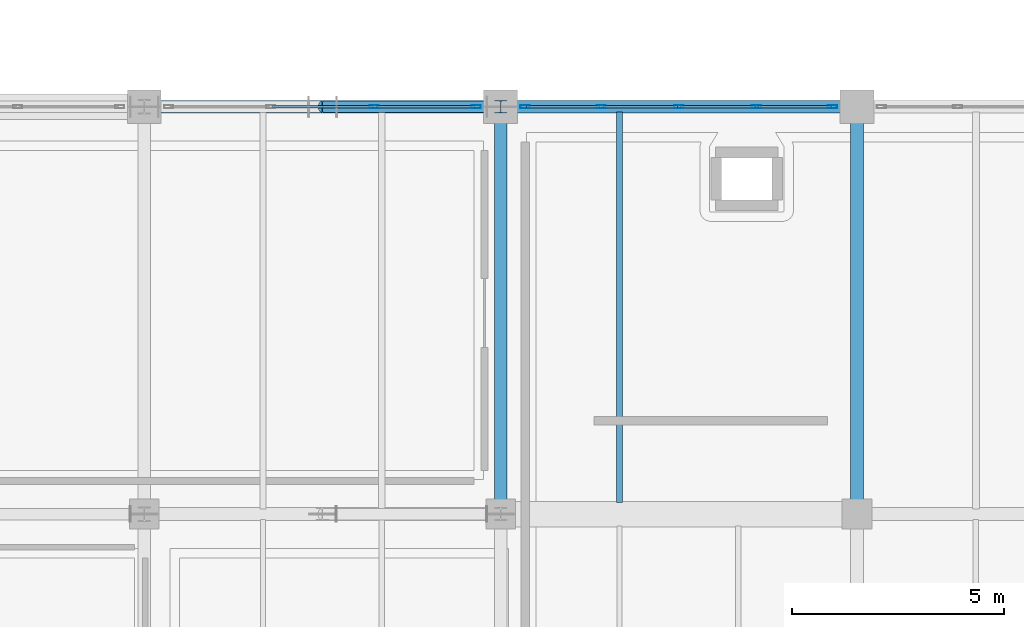
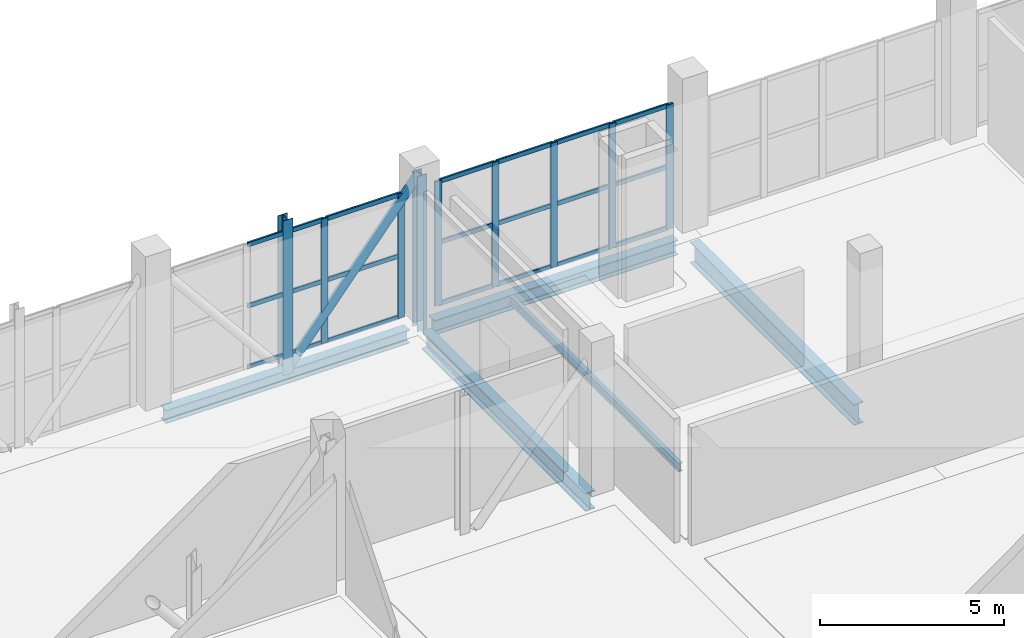
# One storey, part 17 of 77: 28 members, 5 beams, 2 elements without a shape of their own.
"""IFC4 building model written with IfcOpenShell, lengths in metres."""

from ifc_helpers import new_model, si_unit, direction, frame, origin, origin_2d, place, context, subcontext, project, spatial, hollow_rectangle, hollow_circle, i_section, extrude, material, layer, layer_set, material_profile, profile_set, type_object, element, aggregate, save


model = new_model("IFC4")

# Units and contexts
model_context = context("Model", 3, precision=1e-05, world=origin(), true_north=direction((0.0, 1.0)))
body_context = subcontext(model_context, "Body", "Model", "MODEL_VIEW")
ifc_project = project(units=[si_unit("LENGTHUNIT", "METRE"), si_unit("AREAUNIT", "SQUARE_METRE"), si_unit("VOLUMEUNIT", "CUBIC_METRE"), si_unit("PLANEANGLEUNIT", "RADIAN"), si_unit("MASSUNIT", "GRAM", prefix="KILO")], contexts=[model_context])

# Site, building, storey
site_placement = place(None, origin())
site = spatial("IfcSite", under=ifc_project, at=site_placement, CompositionType="ELEMENT")
building_placement = place(site_placement, origin())
building = spatial("IfcBuilding", under=site, at=building_placement, Name="Zulmaris Art Gallery", CompositionType="ELEMENT")
storey_placement = place(building_placement, frame((0.0, 0.0, 15.60009765625)))
storey = spatial("IfcBuildingStorey", under=building, at=storey_placement, Name="L03", CompositionType="ELEMENT", Elevation=15.60009765625)

# Beams
ifc_material_1 = material(Name="Steel S355J2", Category="steel")
ifc_material_profile_1 = material_profile(ifc_material_1, i_section(OverallWidth=0.300048828125, OverallDepth=0.43994140625, WebThickness=0.011474609375, FlangeThickness=0.02099609375, FilletRadius=0.027099609375, at=origin_2d()), Name="HEA 450")
ifc_profile_set_1 = profile_set([ifc_material_profile_1], Name="Steel S355J2")
beam_type_1 = type_object("IfcBeamType", Name="BEAM-BM10", PredefinedType="BEAM", material=ifc_profile_set_1)
beam_1_placement = place(storey_placement, frame((32.784912109375, 50.39990234375, -0.6201171875), z_axis=(1.0, 0.0, 0.0), x_axis=(0.0, 1.0, 0.0)))
element("IfcBeam", 1, at=beam_1_placement, inside=storey, type_object=beam_type_1, Name="L03 X-girder (32.4..40.8, y=50.4)", PredefinedType="BEAM", context=body_context, shape_type="SweptSolid", body=[
    extrude(i_section(OverallWidth=0.300048828125, OverallDepth=0.43994140625, WebThickness=0.011474609375, FlangeThickness=0.02099609375, FilletRadius=0.027099609375, at=origin_2d()), origin(), (0.0, 0.0, 1.0), 7.630126953125),
])
ifc_material_profile_2 = material_profile(ifc_material_1, i_section(OverallWidth=0.300048828125, OverallDepth=0.489990234375, WebThickness=0.011962890625, FlangeThickness=0.02294921875, FilletRadius=0.027099609375, at=origin_2d()), Name="HEA 500")
ifc_profile_set_2 = profile_set([ifc_material_profile_2], Name="Steel S355J2")
beam_type_2 = type_object("IfcBeamType", Name="BEAM-BM11", PredefinedType="BEAM", material=ifc_profile_set_2)
beam_2_placement = place(storey_placement, frame((41.18505859375, 50.39990234375, -0.614990234375), z_axis=(1.0, 0.0, 0.0), x_axis=(0.0, 1.0, 0.0)))
element("IfcBeam", 2, at=beam_2_placement, inside=storey, type_object=beam_type_2, Name="L03 X-girder (40.8..49.2, y=50.4)", PredefinedType="BEAM", context=body_context, shape_type="SweptSolid", body=[
    extrude(i_section(OverallWidth=0.300048828125, OverallDepth=0.489990234375, WebThickness=0.011962890625, FlangeThickness=0.02294921875, FilletRadius=0.027099609375, at=origin_2d()), origin(), (0.0, 0.0, 1.0), 7.6298828125),
])
ifc_material_profile_3 = material_profile(ifc_material_1, i_section(OverallWidth=0.300048828125, OverallDepth=0.60009765625, WebThickness=0.015380859375, FlangeThickness=0.030029296875, FilletRadius=0.027099609375, at=origin_2d()), Name="HEB 600")
ifc_profile_set_3 = profile_set([ifc_material_profile_3], Name="Steel S355J2")
beam_type_3 = type_object("IfcBeamType", Name="BEAM-BM15", PredefinedType="BEAM", material=ifc_profile_set_3)
beam_3_placement = place(storey_placement, frame((40.800048828125, 41.135009765625, -0.670166015625), z_axis=(0.0, 1.0, 0.0), x_axis=(-1.0, 0.0, 0.0)))
element("IfcBeam", 3, at=beam_3_placement, inside=storey, type_object=beam_type_3, Name="L03 Y-girder (x=40.8, 40.8..50.4)", PredefinedType="BEAM", context=body_context, shape_type="SweptSolid", body=[
    extrude(i_section(OverallWidth=0.300048828125, OverallDepth=0.60009765625, WebThickness=0.015380859375, FlangeThickness=0.030029296875, FilletRadius=0.027099609375, at=origin_2d()), origin(), (0.0, 0.0, 1.0), 8.8798828125),
])
ifc_material_profile_4 = material_profile(ifc_material_1, i_section(OverallWidth=0.300048828125, OverallDepth=0.699951171875, WebThickness=0.01708984375, FlangeThickness=0.031982421875, FilletRadius=0.027099609375, at=origin_2d()), Name="HEB 700")
ifc_profile_set_4 = profile_set([ifc_material_profile_4], Name="Steel S355J2")
beam_type_4 = type_object("IfcBeamType", Name="BEAM-BM16", PredefinedType="BEAM", material=ifc_profile_set_4)
beam_4_placement = place(storey_placement, frame((49.199951171875, 41.135009765625, -0.72021484375), z_axis=(0.0, 1.0, 0.0), x_axis=(-1.0, 0.0, 0.0)))
element("IfcBeam", 4, at=beam_4_placement, inside=storey, type_object=beam_type_4, Name="L03 Y-girder (x=49.2, 40.8..50.4)", PredefinedType="BEAM", context=body_context, shape_type="SweptSolid", body=[
    extrude(i_section(OverallWidth=0.300048828125, OverallDepth=0.699951171875, WebThickness=0.01708984375, FlangeThickness=0.031982421875, FilletRadius=0.027099609375, at=origin_2d()), origin(), (0.0, 0.0, 1.0), 8.8798828125),
])
ifc_material_profile_5 = material_profile(ifc_material_1, i_section(OverallWidth=0.135009765625, OverallDepth=0.27001953125, WebThickness=0.006591796875, FlangeThickness=0.01025390625, FilletRadius=0.014892578125, at=origin_2d()), Name="IPE 270")
ifc_profile_set_5 = profile_set([ifc_material_profile_5], Name="Steel S355J2")
beam_type_5 = type_object("IfcBeamType", Name="BEAM-JS02", PredefinedType="JOIST", material=ifc_profile_set_5)
beam_5_placement = place(storey_placement, frame((43.60009765625, 41.074951171875, -0.505126953125), z_axis=(0.0, 1.0, 0.0), x_axis=(-1.0, 0.0, 0.0)))
element("IfcBeam", 5, at=beam_5_placement, inside=storey, type_object=beam_type_5, Name="L03 secondary joist at x=43.6", PredefinedType="JOIST", context=body_context, shape_type="SweptSolid", body=[
    extrude(i_section(OverallWidth=0.135009765625, OverallDepth=0.27001953125, WebThickness=0.006591796875, FlangeThickness=0.01025390625, FilletRadius=0.014892578125, at=origin_2d()), origin(), (0.0, 0.0, 1.0), 9.199951171875),
])

# Curtain wall, members
ifc_material_2 = material(Name="Unitised Low-E Gallery Curtain Wall", Category="aluminium")
ifc_layer = layer(ifc_material_2, 0.179931640625)
ifc_layer_set = layer_set([ifc_layer], Name="Unitised Low-E Gallery Curtain Wall")
curtain_wall_type = type_object("IfcCurtainWallType", Name="CW-CW01", PredefinedType="NOTDEFINED", material=ifc_layer_set)
curtain_wall_1_placement = place(storey_placement, origin())
curtain_wall_1 = element("IfcCurtainWall", 6, at=curtain_wall_1_placement, inside=storey, type_object=curtain_wall_type, Name="L03 curtain wall 7", PredefinedType="NOTDEFINED")
ifc_material_3 = material(Name="Anodised Bronze Aluminium", Category="aluminium")
ifc_material_profile_6 = material_profile(ifc_material_3, hollow_rectangle(XDim=0.074951171875, YDim=0.219970703125, WallThickness=0.0048828125, InnerFilletRadius=0.007568359375, OuterFilletRadius=0.012451171875, at=origin_2d()), Name="ALU 75x220x5")
ifc_profile_set_6 = profile_set([ifc_material_profile_6], Name="Anodised Bronze Aluminium")
member_type_1 = type_object("IfcMemberType", Name="CWMUL-02", PredefinedType="MULLION", material=ifc_profile_set_6)
member_1_placement = place(storey_placement, frame((40.222412109375, 50.39990234375, 0.0), z_axis=(0.0, 0.0, 1.0), x_axis=(0.0, -1.0, 0.0)))
member_1 = element("IfcMember", 7, at=member_1_placement, type_object=member_type_1, Name="CW01 mullion 1", PredefinedType="MULLION", context=body_context, shape_type="SweptSolid", body=[
    extrude(hollow_rectangle(XDim=0.074951171875, YDim=0.219970703125, WallThickness=0.0048828125, InnerFilletRadius=0.007568359375, OuterFilletRadius=0.012451171875, at=origin_2d()), origin(), (0.0, 0.0, 1.0), 4.119873046875),
])
member_2_placement = place(storey_placement, frame((37.820068359375, 50.39990234375, 0.0), z_axis=(0.0, 0.0, 1.0), x_axis=(0.0, -1.0, 0.0)))
member_2 = element("IfcMember", 8, at=member_2_placement, type_object=member_type_1, Name="CW01 mullion 2", PredefinedType="MULLION", context=body_context, shape_type="SweptSolid", body=[
    extrude(hollow_rectangle(XDim=0.074951171875, YDim=0.219970703125, WallThickness=0.0048828125, InnerFilletRadius=0.007568359375, OuterFilletRadius=0.012451171875, at=origin_2d()), origin(), (0.0, 0.0, 1.0), 4.119873046875),
])

curtain_wall_2_placement = place(storey_placement, origin())
curtain_wall_2 = element("IfcCurtainWall", 9, at=curtain_wall_2_placement, inside=storey, type_object=curtain_wall_type, Name="L03 curtain wall 9", PredefinedType="NOTDEFINED")
member_3_placement = place(storey_placement, frame((48.62255859375, 50.39990234375, 0.0), z_axis=(0.0, 0.0, 1.0), x_axis=(0.0, -1.0, 0.0)))
member_3 = element("IfcMember", 10, at=member_3_placement, type_object=member_type_1, Name="CW01 mullion 1", PredefinedType="MULLION", context=body_context, shape_type="SweptSolid", body=[
    extrude(hollow_rectangle(XDim=0.074951171875, YDim=0.219970703125, WallThickness=0.0048828125, InnerFilletRadius=0.007568359375, OuterFilletRadius=0.012451171875, at=origin_2d()), origin(), (0.0, 0.0, 1.0), 4.119873046875),
])
member_4_placement = place(storey_placement, frame((46.830078125, 50.39990234375, 0.0), z_axis=(0.0, 0.0, 1.0), x_axis=(0.0, -1.0, 0.0)))
member_4 = element("IfcMember", 11, at=member_4_placement, type_object=member_type_1, Name="CW01 mullion 2", PredefinedType="MULLION", context=body_context, shape_type="SweptSolid", body=[
    extrude(hollow_rectangle(XDim=0.074951171875, YDim=0.219970703125, WallThickness=0.0048828125, InnerFilletRadius=0.007568359375, OuterFilletRadius=0.012451171875, at=origin_2d()), origin(), (0.0, 0.0, 1.0), 4.119873046875),
])
member_5_placement = place(storey_placement, frame((45.0, 50.39990234375, 0.0), z_axis=(0.0, 0.0, 1.0), x_axis=(0.0, -1.0, 0.0)))
member_5 = element("IfcMember", 12, at=member_5_placement, type_object=member_type_1, Name="CW01 mullion 3", PredefinedType="MULLION", context=body_context, shape_type="SweptSolid", body=[
    extrude(hollow_rectangle(XDim=0.074951171875, YDim=0.219970703125, WallThickness=0.0048828125, InnerFilletRadius=0.007568359375, OuterFilletRadius=0.012451171875, at=origin_2d()), origin(), (0.0, 0.0, 1.0), 4.119873046875),
])
member_6_placement = place(storey_placement, frame((43.169921875, 50.39990234375, 0.0), z_axis=(0.0, 0.0, 1.0), x_axis=(0.0, -1.0, 0.0)))
member_6 = element("IfcMember", 13, at=member_6_placement, type_object=member_type_1, Name="CW01 mullion 4", PredefinedType="MULLION", context=body_context, shape_type="SweptSolid", body=[
    extrude(hollow_rectangle(XDim=0.074951171875, YDim=0.219970703125, WallThickness=0.0048828125, InnerFilletRadius=0.007568359375, OuterFilletRadius=0.012451171875, at=origin_2d()), origin(), (0.0, 0.0, 1.0), 4.119873046875),
])
member_7_placement = place(storey_placement, frame((41.37744140625, 50.39990234375, 0.0), z_axis=(0.0, 0.0, 1.0), x_axis=(0.0, -1.0, 0.0)))
member_7 = element("IfcMember", 14, at=member_7_placement, type_object=member_type_1, Name="CW01 mullion 5", PredefinedType="MULLION", context=body_context, shape_type="SweptSolid", body=[
    extrude(hollow_rectangle(XDim=0.074951171875, YDim=0.219970703125, WallThickness=0.0048828125, InnerFilletRadius=0.007568359375, OuterFilletRadius=0.012451171875, at=origin_2d()), origin(), (0.0, 0.0, 1.0), 4.119873046875),
])

# Member
ifc_material_profile_7 = material_profile(ifc_material_3, hollow_rectangle(XDim=0.06494140625, YDim=0.14990234375, WallThickness=0.00390625, InnerFilletRadius=0.006103515625, OuterFilletRadius=0.010009765625, at=origin_2d()), Name="ALU 65x150x4")
ifc_profile_set_7 = profile_set([ifc_material_profile_7], Name="Anodised Bronze Aluminium")
member_type_2 = type_object("IfcMemberType", Name="CWTRN-01", PredefinedType="USERDEFINED", material=ifc_profile_set_7)
member_8_placement = place(storey_placement, frame((40.18505859375, 50.39990234375, 0.037353515625), z_axis=(-1.0, 0.0, 0.0), x_axis=(0.0, -1.0, 0.0)))
member_8 = element("IfcMember", 15, at=member_8_placement, type_object=member_type_2, Name="CW01 transom 1.1", ObjectType="TRANSOM", PredefinedType="USERDEFINED", context=body_context, shape_type="SweptSolid", body=[
    extrude(hollow_rectangle(XDim=0.06494140625, YDim=0.14990234375, WallThickness=0.00390625, InnerFilletRadius=0.006103515625, OuterFilletRadius=0.010009765625, at=origin_2d()), origin(), (0.0, 0.0, 1.0), 2.32763671875),
])

member_9_placement = place(storey_placement, frame((40.18505859375, 50.39990234375, 2.059814453125), z_axis=(-1.0, 0.0, 0.0), x_axis=(0.0, -1.0, 0.0)))
member_9 = element("IfcMember", 16, at=member_9_placement, type_object=member_type_2, Name="CW01 transom 1.2", ObjectType="TRANSOM", PredefinedType="USERDEFINED", context=body_context, shape_type="SweptSolid", body=[
    extrude(hollow_rectangle(XDim=0.06494140625, YDim=0.14990234375, WallThickness=0.00390625, InnerFilletRadius=0.006103515625, OuterFilletRadius=0.010009765625, at=origin_2d()), origin(), (0.0, 0.0, 1.0), 2.32763671875),
])

member_10_placement = place(storey_placement, frame((40.18505859375, 50.39990234375, 4.08251953125), z_axis=(-1.0, 0.0, 0.0), x_axis=(0.0, -1.0, 0.0)))
member_10 = element("IfcMember", 17, at=member_10_placement, type_object=member_type_2, Name="CW01 transom 1.3", ObjectType="TRANSOM", PredefinedType="USERDEFINED", context=body_context, shape_type="SweptSolid", body=[
    extrude(hollow_rectangle(XDim=0.06494140625, YDim=0.14990234375, WallThickness=0.00390625, InnerFilletRadius=0.006103515625, OuterFilletRadius=0.010009765625, at=origin_2d()), origin(), (0.0, 0.0, 1.0), 2.32763671875),
])

member_11_placement = place(storey_placement, frame((37.782470703125, 50.39990234375, 0.037353515625), z_axis=(-1.0, 0.0, 0.0), x_axis=(0.0, -1.0, 0.0)))
member_11 = element("IfcMember", 18, at=member_11_placement, type_object=member_type_2, Name="CW01 transom 2.1", ObjectType="TRANSOM", PredefinedType="USERDEFINED", context=body_context, shape_type="SweptSolid", body=[
    extrude(hollow_rectangle(XDim=0.06494140625, YDim=0.14990234375, WallThickness=0.00390625, InnerFilletRadius=0.006103515625, OuterFilletRadius=0.010009765625, at=origin_2d()), origin(), (0.0, 0.0, 1.0), 2.364990234375),
])

member_12_placement = place(storey_placement, frame((37.782470703125, 50.39990234375, 2.059814453125), z_axis=(-1.0, 0.0, 0.0), x_axis=(0.0, -1.0, 0.0)))
member_12 = element("IfcMember", 19, at=member_12_placement, type_object=member_type_2, Name="CW01 transom 2.2", ObjectType="TRANSOM", PredefinedType="USERDEFINED", context=body_context, shape_type="SweptSolid", body=[
    extrude(hollow_rectangle(XDim=0.06494140625, YDim=0.14990234375, WallThickness=0.00390625, InnerFilletRadius=0.006103515625, OuterFilletRadius=0.010009765625, at=origin_2d()), origin(), (0.0, 0.0, 1.0), 2.364990234375),
])

member_13_placement = place(storey_placement, frame((37.782470703125, 50.39990234375, 4.08251953125), z_axis=(-1.0, 0.0, 0.0), x_axis=(0.0, -1.0, 0.0)))
member_13 = element("IfcMember", 20, at=member_13_placement, type_object=member_type_2, Name="CW01 transom 2.3", ObjectType="TRANSOM", PredefinedType="USERDEFINED", context=body_context, shape_type="SweptSolid", body=[
    extrude(hollow_rectangle(XDim=0.06494140625, YDim=0.14990234375, WallThickness=0.00390625, InnerFilletRadius=0.006103515625, OuterFilletRadius=0.010009765625, at=origin_2d()), origin(), (0.0, 0.0, 1.0), 2.364990234375),
])

aggregate(curtain_wall_1, [member_1, member_2, member_8, member_9, member_10, member_11, member_12, member_13])

member_14_placement = place(storey_placement, frame((48.5849609375, 50.39990234375, 0.037353515625), z_axis=(-1.0, 0.0, 0.0), x_axis=(0.0, -1.0, 0.0)))
member_14 = element("IfcMember", 21, at=member_14_placement, type_object=member_type_2, Name="CW01 transom 1.1", ObjectType="TRANSOM", PredefinedType="USERDEFINED", context=body_context, shape_type="SweptSolid", body=[
    extrude(hollow_rectangle(XDim=0.06494140625, YDim=0.14990234375, WallThickness=0.00390625, InnerFilletRadius=0.006103515625, OuterFilletRadius=0.010009765625, at=origin_2d()), origin(), (0.0, 0.0, 1.0), 1.717529296875),
])

member_15_placement = place(storey_placement, frame((48.5849609375, 50.39990234375, 2.059814453125), z_axis=(-1.0, 0.0, 0.0), x_axis=(0.0, -1.0, 0.0)))
member_15 = element("IfcMember", 22, at=member_15_placement, type_object=member_type_2, Name="CW01 transom 1.2", ObjectType="TRANSOM", PredefinedType="USERDEFINED", context=body_context, shape_type="SweptSolid", body=[
    extrude(hollow_rectangle(XDim=0.06494140625, YDim=0.14990234375, WallThickness=0.00390625, InnerFilletRadius=0.006103515625, OuterFilletRadius=0.010009765625, at=origin_2d()), origin(), (0.0, 0.0, 1.0), 1.717529296875),
])

member_16_placement = place(storey_placement, frame((48.5849609375, 50.39990234375, 4.08251953125), z_axis=(-1.0, 0.0, 0.0), x_axis=(0.0, -1.0, 0.0)))
member_16 = element("IfcMember", 23, at=member_16_placement, type_object=member_type_2, Name="CW01 transom 1.3", ObjectType="TRANSOM", PredefinedType="USERDEFINED", context=body_context, shape_type="SweptSolid", body=[
    extrude(hollow_rectangle(XDim=0.06494140625, YDim=0.14990234375, WallThickness=0.00390625, InnerFilletRadius=0.006103515625, OuterFilletRadius=0.010009765625, at=origin_2d()), origin(), (0.0, 0.0, 1.0), 1.717529296875),
])

member_17_placement = place(storey_placement, frame((46.79248046875, 50.39990234375, 0.037353515625), z_axis=(-1.0, 0.0, 0.0), x_axis=(0.0, -1.0, 0.0)))
member_17 = element("IfcMember", 24, at=member_17_placement, type_object=member_type_2, Name="CW01 transom 2.1", ObjectType="TRANSOM", PredefinedType="USERDEFINED", context=body_context, shape_type="SweptSolid", body=[
    extrude(hollow_rectangle(XDim=0.06494140625, YDim=0.14990234375, WallThickness=0.00390625, InnerFilletRadius=0.006103515625, OuterFilletRadius=0.010009765625, at=origin_2d()), origin(), (0.0, 0.0, 1.0), 1.7548828125),
])

member_18_placement = place(storey_placement, frame((46.79248046875, 50.39990234375, 2.059814453125), z_axis=(-1.0, 0.0, 0.0), x_axis=(0.0, -1.0, 0.0)))
member_18 = element("IfcMember", 25, at=member_18_placement, type_object=member_type_2, Name="CW01 transom 2.2", ObjectType="TRANSOM", PredefinedType="USERDEFINED", context=body_context, shape_type="SweptSolid", body=[
    extrude(hollow_rectangle(XDim=0.06494140625, YDim=0.14990234375, WallThickness=0.00390625, InnerFilletRadius=0.006103515625, OuterFilletRadius=0.010009765625, at=origin_2d()), origin(), (0.0, 0.0, 1.0), 1.7548828125),
])

member_19_placement = place(storey_placement, frame((46.79248046875, 50.39990234375, 4.08251953125), z_axis=(-1.0, 0.0, 0.0), x_axis=(0.0, -1.0, 0.0)))
member_19 = element("IfcMember", 26, at=member_19_placement, type_object=member_type_2, Name="CW01 transom 2.3", ObjectType="TRANSOM", PredefinedType="USERDEFINED", context=body_context, shape_type="SweptSolid", body=[
    extrude(hollow_rectangle(XDim=0.06494140625, YDim=0.14990234375, WallThickness=0.00390625, InnerFilletRadius=0.006103515625, OuterFilletRadius=0.010009765625, at=origin_2d()), origin(), (0.0, 0.0, 1.0), 1.7548828125),
])

member_20_placement = place(storey_placement, frame((44.96240234375, 50.39990234375, 0.037353515625), z_axis=(-1.0, 0.0, 0.0), x_axis=(0.0, -1.0, 0.0)))
member_20 = element("IfcMember", 27, at=member_20_placement, type_object=member_type_2, Name="CW01 transom 3.1", ObjectType="TRANSOM", PredefinedType="USERDEFINED", context=body_context, shape_type="SweptSolid", body=[
    extrude(hollow_rectangle(XDim=0.06494140625, YDim=0.14990234375, WallThickness=0.00390625, InnerFilletRadius=0.006103515625, OuterFilletRadius=0.010009765625, at=origin_2d()), origin(), (0.0, 0.0, 1.0), 1.7548828125),
])

member_21_placement = place(storey_placement, frame((44.96240234375, 50.39990234375, 2.059814453125), z_axis=(-1.0, 0.0, 0.0), x_axis=(0.0, -1.0, 0.0)))
member_21 = element("IfcMember", 28, at=member_21_placement, type_object=member_type_2, Name="CW01 transom 3.2", ObjectType="TRANSOM", PredefinedType="USERDEFINED", context=body_context, shape_type="SweptSolid", body=[
    extrude(hollow_rectangle(XDim=0.06494140625, YDim=0.14990234375, WallThickness=0.00390625, InnerFilletRadius=0.006103515625, OuterFilletRadius=0.010009765625, at=origin_2d()), origin(), (0.0, 0.0, 1.0), 1.7548828125),
])

member_22_placement = place(storey_placement, frame((44.96240234375, 50.39990234375, 4.08251953125), z_axis=(-1.0, 0.0, 0.0), x_axis=(0.0, -1.0, 0.0)))
member_22 = element("IfcMember", 29, at=member_22_placement, type_object=member_type_2, Name="CW01 transom 3.3", ObjectType="TRANSOM", PredefinedType="USERDEFINED", context=body_context, shape_type="SweptSolid", body=[
    extrude(hollow_rectangle(XDim=0.06494140625, YDim=0.14990234375, WallThickness=0.00390625, InnerFilletRadius=0.006103515625, OuterFilletRadius=0.010009765625, at=origin_2d()), origin(), (0.0, 0.0, 1.0), 1.7548828125),
])

member_23_placement = place(storey_placement, frame((43.132568359375, 50.39990234375, 0.037353515625), z_axis=(-1.0, 0.0, 0.0), x_axis=(0.0, -1.0, 0.0)))
member_23 = element("IfcMember", 30, at=member_23_placement, type_object=member_type_2, Name="CW01 transom 4.1", ObjectType="TRANSOM", PredefinedType="USERDEFINED", context=body_context, shape_type="SweptSolid", body=[
    extrude(hollow_rectangle(XDim=0.06494140625, YDim=0.14990234375, WallThickness=0.00390625, InnerFilletRadius=0.006103515625, OuterFilletRadius=0.010009765625, at=origin_2d()), origin(), (0.0, 0.0, 1.0), 1.717529296875),
])

member_24_placement = place(storey_placement, frame((43.132568359375, 50.39990234375, 2.059814453125), z_axis=(-1.0, 0.0, 0.0), x_axis=(0.0, -1.0, 0.0)))
member_24 = element("IfcMember", 31, at=member_24_placement, type_object=member_type_2, Name="CW01 transom 4.2", ObjectType="TRANSOM", PredefinedType="USERDEFINED", context=body_context, shape_type="SweptSolid", body=[
    extrude(hollow_rectangle(XDim=0.06494140625, YDim=0.14990234375, WallThickness=0.00390625, InnerFilletRadius=0.006103515625, OuterFilletRadius=0.010009765625, at=origin_2d()), origin(), (0.0, 0.0, 1.0), 1.717529296875),
])

member_25_placement = place(storey_placement, frame((43.132568359375, 50.39990234375, 4.08251953125), z_axis=(-1.0, 0.0, 0.0), x_axis=(0.0, -1.0, 0.0)))
member_25 = element("IfcMember", 32, at=member_25_placement, type_object=member_type_2, Name="CW01 transom 4.3", ObjectType="TRANSOM", PredefinedType="USERDEFINED", context=body_context, shape_type="SweptSolid", body=[
    extrude(hollow_rectangle(XDim=0.06494140625, YDim=0.14990234375, WallThickness=0.00390625, InnerFilletRadius=0.006103515625, OuterFilletRadius=0.010009765625, at=origin_2d()), origin(), (0.0, 0.0, 1.0), 1.717529296875),
])

aggregate(curtain_wall_2, [member_3, member_4, member_5, member_6, member_7, member_14, member_15, member_16, member_17, member_18, member_19, member_20, member_21, member_22, member_23, member_24, member_25])

# Members
ifc_material_4 = material(Name="Steel S355J2H", Category="steel")
ifc_material_profile_8 = material_profile(ifc_material_4, hollow_circle(Radius=0.136474609375, WallThickness=0.012451171875, at=origin_2d()), Name="CHS 273x12.5")
ifc_profile_set_8 = profile_set([ifc_material_profile_8], Name="Steel S355J2H")
member_type_3 = type_object("IfcMemberType", Name="MEM-TB03", PredefinedType="BRACE", material=ifc_profile_set_8)
member_26_placement = place(storey_placement, frame((36.60009765625, 50.39990234375, -0.5361328125), z_axis=(0.634319436883, 0.0, 0.773071052357), x_axis=(0.0, 1.0, 0.0)))
element("IfcMember", 33, at=member_26_placement, inside=storey, type_object=member_type_3, Name="Cantilever truss TR-C4 diagonal 7", PredefinedType="BRACE", context=body_context, shape_type="SweptSolid", body=[
    extrude(hollow_circle(Radius=0.136474609375, WallThickness=0.012451171875, at=origin_2d()), origin(), (0.0, 0.0, 1.0), 6.62109375),
])
ifc_material_profile_9 = material_profile(ifc_material_1, i_section(OverallWidth=0.300048828125, OverallDepth=0.300048828125, WebThickness=0.010986328125, FlangeThickness=0.01904296875, FilletRadius=0.027099609375, at=origin_2d()), Name="HEB 300")
ifc_profile_set_9 = profile_set([ifc_material_profile_9], Name="Steel S355J2")
member_type_4 = type_object("IfcMemberType", Name="MEM-TP03", PredefinedType="POST", material=ifc_profile_set_9)
member_27_placement = place(storey_placement, frame((36.60009765625, 50.39990234375, -0.5361328125), z_axis=(0.0, 0.0, 1.0), x_axis=(1.0, 0.0, 0.0)))
element("IfcMember", 34, at=member_27_placement, inside=storey, type_object=member_type_4, Name="Cantilever truss TR-C4 post 7", PredefinedType="POST", context=body_context, shape_type="SweptSolid", body=[
    extrude(i_section(OverallWidth=0.300048828125, OverallDepth=0.300048828125, WebThickness=0.010986328125, FlangeThickness=0.01904296875, FilletRadius=0.027099609375, at=origin_2d()), origin(), (0.0, 0.0, 1.0), 5.11865234375),
])
member_28_placement = place(storey_placement, frame((40.800048828125, 50.39990234375, -0.550048828125), z_axis=(0.0, 0.0, 1.0), x_axis=(1.0, 0.0, 0.0)))
element("IfcMember", 35, at=member_28_placement, inside=storey, type_object=member_type_4, Name="Cantilever truss TR-C4 post 8", PredefinedType="POST", context=body_context, shape_type="SweptSolid", body=[
    extrude(i_section(OverallWidth=0.300048828125, OverallDepth=0.300048828125, WebThickness=0.010986328125, FlangeThickness=0.01904296875, FilletRadius=0.027099609375, at=origin_2d()), origin(), (0.0, 0.0, 1.0), 5.132568359375),
])

save(model, "model.ifc")
